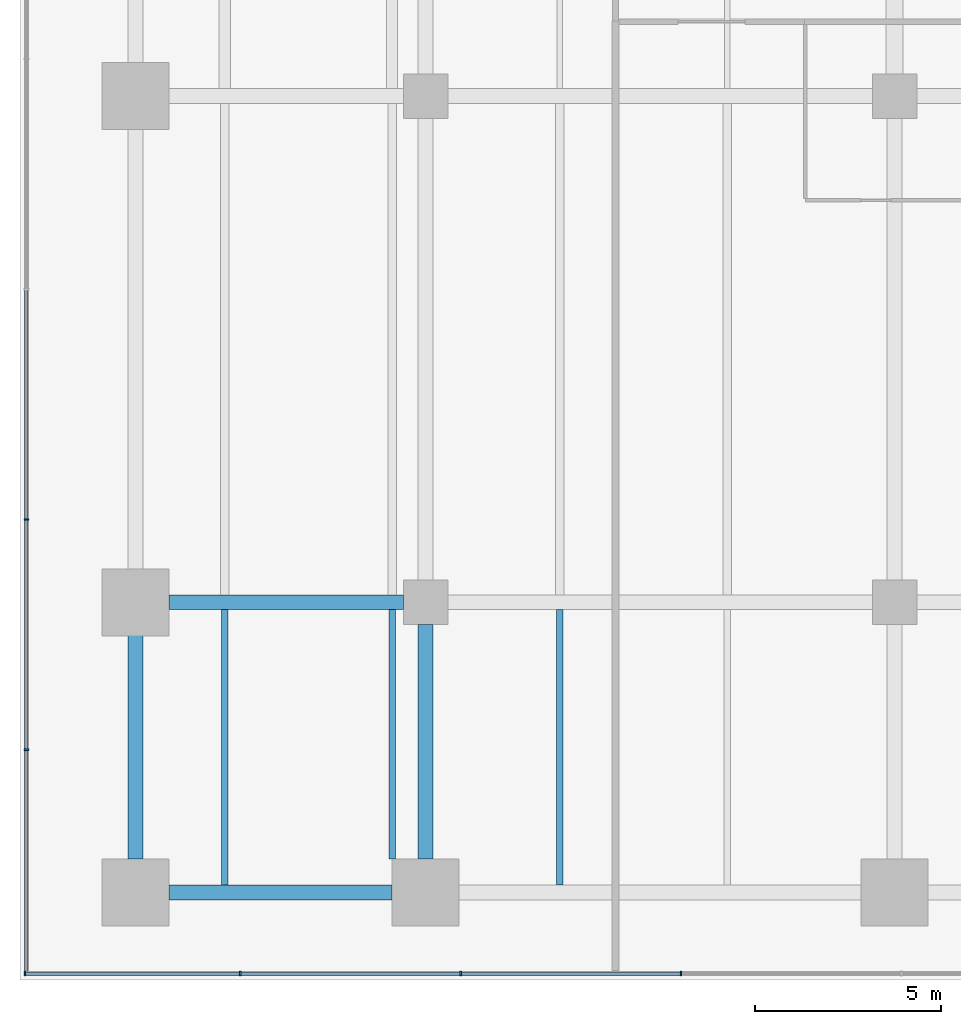
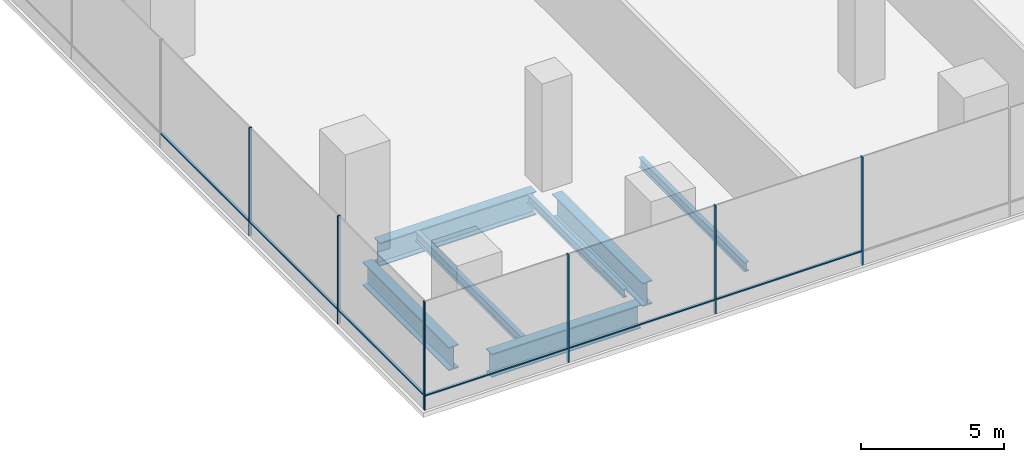
# One storey, part 2 of 29: 12 members, 7 beams, 2 elements without a shape of their own.
"""IFC4 building model written with IfcOpenShell, lengths in metres."""

from ifc_helpers import new_model, si_unit, direction, frame, origin, origin_2d, place, context, subcontext, project, spatial, rectangle, i_section, extrude, material, layer, layer_set, material_profile, profile_set, type_object, element, aggregate, save


model = new_model("IFC4")

# Units and contexts
model_context = context("Model", 3, precision=1e-05, world=origin(), true_north=direction((0.0, 1.0)))
body_context = subcontext(model_context, "Body", "Model", "MODEL_VIEW")
ifc_project = project(units=[si_unit("LENGTHUNIT", "METRE"), si_unit("AREAUNIT", "SQUARE_METRE"), si_unit("VOLUMEUNIT", "CUBIC_METRE"), si_unit("PLANEANGLEUNIT", "RADIAN"), si_unit("MASSUNIT", "GRAM", prefix="KILO")], contexts=[model_context])

# Site, building, storey
site_placement = place(None, origin())
site = spatial("IfcSite", under=ifc_project, at=site_placement, CompositionType="ELEMENT")
building_placement = place(site_placement, origin())
building = spatial("IfcBuilding", under=site, at=building_placement, Name="Rattan Terrace Tower", CompositionType="ELEMENT")
storey_placement = place(building_placement, frame((0.0, 0.0, 12.60009765625)))
storey = spatial("IfcBuildingStorey", under=building, at=storey_placement, Name="L02", CompositionType="ELEMENT", Elevation=12.60009765625)

# Beams
ifc_material_1 = material(Name="Steel S355", Category="steel")
ifc_material_profile_1 = material_profile(ifc_material_1, i_section(OverallWidth=0.169921875, OverallDepth=0.360107421875, WebThickness=0.008056640625, FlangeThickness=0.0126953125, FilletRadius=0.01806640625, at=origin_2d()), Name="IPE 360")
ifc_profile_set_1 = profile_set([ifc_material_profile_1], Name="Steel S355")
beam_type_1 = type_object("IfcBeamType", Name="Frame floor beam IPE 360", PredefinedType="JOIST", material=ifc_profile_set_1)
beam_placement = place(storey_placement, frame((-27.0, -34.0, -0.380126953125), z_axis=(0.0, 1.0, 0.0), x_axis=(-1.0, 0.0, 0.0)))
element("IfcBeam", 1, at=beam_placement, inside=storey, type_object=beam_type_1, Name="bm-L02-013", PredefinedType="JOIST", context=body_context, shape_type="SweptSolid", body=[
    extrude(i_section(OverallWidth=0.169921875, OverallDepth=0.360107421875, WebThickness=0.008056640625, FlangeThickness=0.0126953125, FilletRadius=0.01806640625, at=origin_2d()), origin(), (0.0, 0.0, 1.0), 6.699951171875),
])
ifc_material_2 = material(Name="Steel S355", Category="steel")
ifc_material_profile_2 = material_profile(ifc_material_2, i_section(OverallWidth=0.179931640625, OverallDepth=0.39990234375, WebThickness=0.008544921875, FlangeThickness=0.013427734375, FilletRadius=0.02099609375, at=origin_2d()), Name="IPE 400")
ifc_profile_set_2 = profile_set([ifc_material_profile_2], Name="Steel S355")
beam_type_2 = type_object("IfcBeamType", Name="Frame floor beam IPE 400", PredefinedType="JOIST", material=ifc_profile_set_2)
for number, where, z_axis, x_axis, name in (
    (2, (-31.5, -34.699951171875, -0.400146484375), (0.0, 1.0, 0.0), (-1.0, 0.0, 0.0), "bm-L02-003"),
    (3, (-22.5, -34.699951171875, -0.400146484375), (0.0, 1.0, 0.0), (-1.0, 0.0, 0.0), "bm-L02-004"),
):
    element("IfcBeam", number, at=place(storey_placement, frame(where, z_axis=z_axis, x_axis=x_axis)), inside=storey, type_object=beam_type_2, Name=name, PredefinedType="JOIST", context=body_context, shape_type="SweptSolid", body=[
        extrude(i_section(OverallWidth=0.179931640625, OverallDepth=0.39990234375, WebThickness=0.008544921875, FlangeThickness=0.013427734375, FilletRadius=0.02099609375, at=origin_2d()), origin(), (0.0, 0.0, 1.0), 7.39990234375),
    ])
ifc_material_3 = material(Name="Steel S460", Category="steel")
ifc_material_profile_3 = material_profile(ifc_material_3, i_section(OverallWidth=0.39990234375, OverallDepth=1.0, WebThickness=0.01806640625, FlangeThickness=0.044921875, at=origin_2d()), Name="PG 1000x400-18-45")
ifc_profile_set_3 = profile_set([ifc_material_profile_3], Name="Steel S460")
beam_type_3 = type_object("IfcBeamType", Name="Frame podium girder PG 1000x400-18-45", PredefinedType="USERDEFINED", material=ifc_profile_set_3)
for number, where, z_axis, x_axis, name in (
    (4, (-33.0, -34.89990234375, -0.7001953125), (1.0, 0.0, 0.0), (0.0, 1.0, 0.0), "gdr-L02-001"),
    (5, (-33.89990234375, -34.0, -0.7001953125), (0.0, 1.0, 0.0), (-1.0, 0.0, 0.0), "gdr-L02-007"),
):
    element("IfcBeam", number, at=place(storey_placement, frame(where, z_axis=z_axis, x_axis=x_axis)), inside=storey, type_object=beam_type_3, Name=name, ObjectType="PODIUM GIRDER", PredefinedType="USERDEFINED", context=body_context, shape_type="SweptSolid", body=[
        extrude(i_section(OverallWidth=0.39990234375, OverallDepth=1.0, WebThickness=0.01806640625, FlangeThickness=0.044921875, at=origin_2d()), origin(), (0.0, 0.0, 1.0), 6.0),
    ])
for number, where, z_axis, x_axis, name in (
    (6, (-26.10009765625, -34.0, -0.7001953125), (0.0, 1.0, 0.0), (-1.0, 0.0, 0.0), "gdr-L02-008"),
    (7, (-33.0, -27.10009765625, -0.7001953125), (1.0, 0.0, 0.0), (0.0, 1.0, 0.0), "gdr-L02-014"),
):
    element("IfcBeam", number, at=place(storey_placement, frame(where, z_axis=z_axis, x_axis=x_axis)), inside=storey, type_object=beam_type_3, Name=name, ObjectType="PODIUM GIRDER", PredefinedType="USERDEFINED", context=body_context, shape_type="SweptSolid", body=[
        extrude(i_section(OverallWidth=0.39990234375, OverallDepth=1.0, WebThickness=0.01806640625, FlangeThickness=0.044921875, at=origin_2d()), origin(), (0.0, 0.0, 1.0), 6.300048828125),
    ])

# Curtain wall, members
ifc_material_4 = material(Name="Aluminium and glass", Category="aluminium")
ifc_layer = layer(ifc_material_4, 0.1201171875)
ifc_layer_set = layer_set([ifc_layer], Name="Station Storefront Curtain Wall")
curtain_wall_type = type_object("IfcCurtainWallType", Name="Station Storefront Curtain Wall", PredefinedType="NOTDEFINED", material=ifc_layer_set)
curtain_wall_1_placement = place(storey_placement, origin())
curtain_wall_1 = element("IfcCurtainWall", 8, at=curtain_wall_1_placement, inside=storey, type_object=curtain_wall_type, Name="Storefront curtain wall L02-3", PredefinedType="NOTDEFINED")
ifc_material_5 = material(Name="Aluminium", Category="aluminium")
ifc_material_profile_4 = material_profile(ifc_material_5, rectangle(XDim=0.050048828125, YDim=0.1201171875, at=origin_2d()), Name="Aluminium 50x120")
ifc_profile_set_4 = profile_set([ifc_material_profile_4], Name="Aluminium")
member_type_1 = type_object("IfcMemberType", Name="Storefront CW Mullion 50x120", PredefinedType="MULLION", material=ifc_profile_set_4)
member_1_placement = place(storey_placement, frame((-36.830078125, -24.8779296875, 0.0), z_axis=(0.0, 0.0, 1.0), x_axis=(0.0, -1.0, 0.0)))
member_1 = element("IfcMember", 9, at=member_1_placement, type_object=member_type_1, Name="Mullion cwl-L02-003.7", PredefinedType="MULLION", context=body_context, shape_type="SweptSolid", body=[
    extrude(rectangle(XDim=0.050048828125, YDim=0.1201171875, at=origin_2d()), origin(), (0.0, 0.0, 1.0), 4.599853515625),
])
member_2_placement = place(storey_placement, frame((-36.830078125, -31.06591796875, 0.0), z_axis=(0.0, 0.0, 1.0), x_axis=(0.0, -1.0, 0.0)))
member_2 = element("IfcMember", 10, at=member_2_placement, type_object=member_type_1, Name="Mullion cwl-L02-003.8", PredefinedType="MULLION", context=body_context, shape_type="SweptSolid", body=[
    extrude(rectangle(XDim=0.050048828125, YDim=0.1201171875, at=origin_2d()), origin(), (0.0, 0.0, 1.0), 4.599853515625),
])

curtain_wall_2_placement = place(storey_placement, origin())
curtain_wall_2 = element("IfcCurtainWall", 11, at=curtain_wall_2_placement, inside=storey, type_object=curtain_wall_type, Name="Storefront curtain wall L02-4", PredefinedType="NOTDEFINED")
member_3_placement = place(storey_placement, frame((-36.864990234375, -37.080078125, 0.0), z_axis=(0.0, 0.0, 1.0), x_axis=(1.0, 0.0, 0.0)))
member_3 = element("IfcMember", 12, at=member_3_placement, type_object=member_type_1, Name="Mullion cwl-L02-004.1", PredefinedType="MULLION", context=body_context, shape_type="SweptSolid", body=[
    extrude(rectangle(XDim=0.050048828125, YDim=0.1201171875, at=origin_2d()), origin(), (0.0, 0.0, 1.0), 4.599853515625),
])
member_4_placement = place(storey_placement, frame((-31.080078125, -37.080078125, 0.0), z_axis=(0.0, 0.0, 1.0), x_axis=(1.0, 0.0, 0.0)))
member_4 = element("IfcMember", 13, at=member_4_placement, type_object=member_type_1, Name="Mullion cwl-L02-004.2", PredefinedType="MULLION", context=body_context, shape_type="SweptSolid", body=[
    extrude(rectangle(XDim=0.050048828125, YDim=0.1201171875, at=origin_2d()), origin(), (0.0, 0.0, 1.0), 4.599853515625),
])
member_5_placement = place(storey_placement, frame((-25.159912109375, -37.080078125, 0.0), z_axis=(0.0, 0.0, 1.0), x_axis=(1.0, 0.0, 0.0)))
member_5 = element("IfcMember", 14, at=member_5_placement, type_object=member_type_1, Name="Mullion cwl-L02-004.3", PredefinedType="MULLION", context=body_context, shape_type="SweptSolid", body=[
    extrude(rectangle(XDim=0.050048828125, YDim=0.1201171875, at=origin_2d()), origin(), (0.0, 0.0, 1.0), 4.599853515625),
])
member_6_placement = place(storey_placement, frame((-19.239990234375, -37.080078125, 0.0), z_axis=(0.0, 0.0, 1.0), x_axis=(1.0, 0.0, 0.0)))
member_6 = element("IfcMember", 15, at=member_6_placement, type_object=member_type_1, Name="Mullion cwl-L02-004.4", PredefinedType="MULLION", context=body_context, shape_type="SweptSolid", body=[
    extrude(rectangle(XDim=0.050048828125, YDim=0.1201171875, at=origin_2d()), origin(), (0.0, 0.0, 1.0), 4.599853515625),
])

# Member
ifc_material_6 = material(Name="Aluminium", Category="aluminium")
ifc_material_profile_5 = material_profile(ifc_material_6, rectangle(XDim=0.10009765625, YDim=0.050048828125, at=origin_2d()), Name="Aluminium 100x50")
ifc_profile_set_5 = profile_set([ifc_material_profile_5], Name="Aluminium")
member_type_2 = type_object("IfcMemberType", Name="Storefront CW Transom 100x50", PredefinedType="USERDEFINED", material=ifc_profile_set_5)
member_7_placement = place(storey_placement, frame((-36.830078125, -18.715087890625, 0.599853515625), z_axis=(0.0, -1.0, 0.0), x_axis=(1.0, 0.0, 0.0)))
member_7 = element("IfcMember", 16, at=member_7_placement, type_object=member_type_2, Name="Transom cwl-L02-003.6", ObjectType="TRANSOM", PredefinedType="USERDEFINED", context=body_context, shape_type="SweptSolid", body=[
    extrude(rectangle(XDim=0.10009765625, YDim=0.050048828125, at=origin_2d()), origin(), (0.0, 0.0, 1.0), 6.137939453125),
])

member_8_placement = place(storey_placement, frame((-36.830078125, -24.903076171875, 0.599853515625), z_axis=(0.0, -1.0, 0.0), x_axis=(1.0, 0.0, 0.0)))
member_8 = element("IfcMember", 17, at=member_8_placement, type_object=member_type_2, Name="Transom cwl-L02-003.7", ObjectType="TRANSOM", PredefinedType="USERDEFINED", context=body_context, shape_type="SweptSolid", body=[
    extrude(rectangle(XDim=0.10009765625, YDim=0.050048828125, at=origin_2d()), origin(), (0.0, 0.0, 1.0), 6.137939453125),
])

member_9_placement = place(storey_placement, frame((-36.830078125, -31.091064453125, 0.599853515625), z_axis=(0.0, -1.0, 0.0), x_axis=(1.0, 0.0, 0.0)))
member_9 = element("IfcMember", 18, at=member_9_placement, type_object=member_type_2, Name="Transom cwl-L02-003.8", ObjectType="TRANSOM", PredefinedType="USERDEFINED", context=body_context, shape_type="SweptSolid", body=[
    extrude(rectangle(XDim=0.10009765625, YDim=0.050048828125, at=origin_2d()), origin(), (0.0, 0.0, 1.0), 5.928955078125),
])

aggregate(curtain_wall_1, [member_1, member_2, member_7, member_8, member_9])

member_10_placement = place(storey_placement, frame((-36.840087890625, -37.080078125, 0.599853515625), z_axis=(1.0, 0.0, 0.0), x_axis=(0.0, 1.0, 0.0)))
member_10 = element("IfcMember", 19, at=member_10_placement, type_object=member_type_2, Name="Transom cwl-L02-004.1", ObjectType="TRANSOM", PredefinedType="USERDEFINED", context=body_context, shape_type="SweptSolid", body=[
    extrude(rectangle(XDim=0.10009765625, YDim=0.050048828125, at=origin_2d()), origin(), (0.0, 0.0, 1.0), 5.735107421875),
])

member_11_placement = place(storey_placement, frame((-31.054931640625, -37.080078125, 0.599853515625), z_axis=(1.0, 0.0, 0.0), x_axis=(0.0, 1.0, 0.0)))
member_11 = element("IfcMember", 20, at=member_11_placement, type_object=member_type_2, Name="Transom cwl-L02-004.2", ObjectType="TRANSOM", PredefinedType="USERDEFINED", context=body_context, shape_type="SweptSolid", body=[
    extrude(rectangle(XDim=0.10009765625, YDim=0.050048828125, at=origin_2d()), origin(), (0.0, 0.0, 1.0), 5.869873046875),
])

member_12_placement = place(storey_placement, frame((-25.135009765625, -37.080078125, 0.599853515625), z_axis=(1.0, 0.0, 0.0), x_axis=(0.0, 1.0, 0.0)))
member_12 = element("IfcMember", 21, at=member_12_placement, type_object=member_type_2, Name="Transom cwl-L02-004.3", ObjectType="TRANSOM", PredefinedType="USERDEFINED", context=body_context, shape_type="SweptSolid", body=[
    extrude(rectangle(XDim=0.10009765625, YDim=0.050048828125, at=origin_2d()), origin(), (0.0, 0.0, 1.0), 5.8701171875),
])

aggregate(curtain_wall_2, [member_3, member_4, member_5, member_6, member_10, member_11, member_12])

save(model, "model.ifc")
